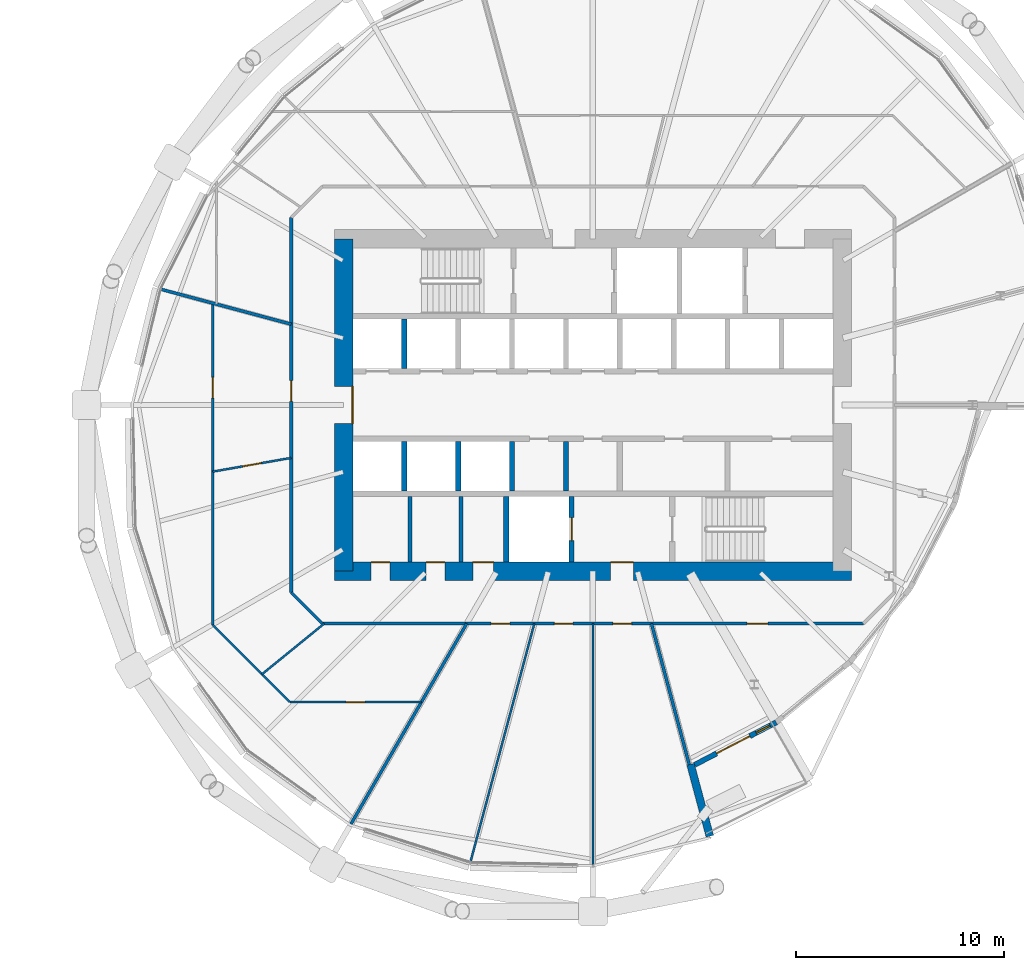
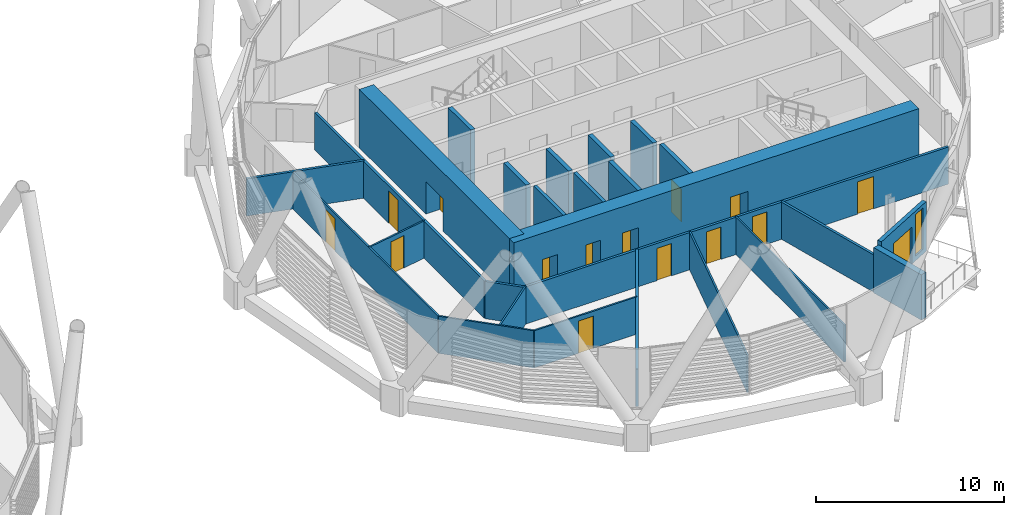
# One storey, part 23 of 36: 26 walls, 15 doors, 1 window, 16 openings.
"""IFC4 building model written with IfcOpenShell, lengths in metres."""

from ifc_helpers import new_model, si_unit, direction, frame, frame_2d, origin, place, context, subcontext, project, spatial, rectangle, extrude, material, layer, layer_set, type_object, element, fill, save


model = new_model("IFC4")

# Units and contexts
model_context = context("Model", 3, precision=1e-05, world=origin(), true_north=direction((0.0, 1.0)))
body_context = subcontext(model_context, "Body", "Model", "MODEL_VIEW")
ifc_project = project(units=[si_unit("LENGTHUNIT", "METRE"), si_unit("AREAUNIT", "SQUARE_METRE"), si_unit("VOLUMEUNIT", "CUBIC_METRE"), si_unit("PLANEANGLEUNIT", "RADIAN"), si_unit("MASSUNIT", "GRAM", prefix="KILO")], contexts=[model_context])

# Site, building, storey
site_placement = place(None, origin())
site = spatial("IfcSite", under=ifc_project, at=site_placement, CompositionType="ELEMENT")
building_placement = place(site_placement, origin())
building = spatial("IfcBuilding", under=site, at=building_placement, Name="Rimbun Link Towers", CompositionType="ELEMENT")
storey_placement = place(building_placement, frame((0.0, 0.0, 64.199951171875)))
storey = spatial("IfcBuildingStorey", under=building, at=storey_placement, Name="L15", CompositionType="ELEMENT", Elevation=64.199951171875)

# Wall, openings, door, window
ifc_material_1 = material(Name="Dark enamelled glass spandrel on insulated aluminium backpan", Category="aluminium")
ifc_layer_1 = layer(ifc_material_1, 0.25)
ifc_layer_set_1 = layer_set([ifc_layer_1], Name="CS dark enamelled spandrel wall 250")
wall_type_1 = type_object("IfcWallType", Name="CS dark enamelled spandrel wall 250", PredefinedType="STANDARD", material=ifc_layer_set_1)
wall_1_placement = place(storey_placement, frame((40.57958984375, -15.278564453125, 0.0), z_axis=(0.0, 0.0, 1.0), x_axis=(-0.886942309025, -0.461880223069, 0.0)))
wall_1 = element("IfcWall", 1, at=wall_1_placement, inside=storey, type_object=wall_type_1, Name="Crease spandrel wall", PredefinedType="STANDARD", context=body_context, shape_type="SweptSolid", body=[
    extrude(rectangle(XDim=4.429443359375, YDim=0.25, at=frame_2d((2.21484375, 0.0))), origin(), (0.0, 0.0, 1.0), 3.2236328125),
])
opening_1_placement = place(wall_1_placement, frame((0.3427734375, 0.0, 0.300048828125)))
opening_1 = element("IfcOpeningElement", 2, at=opening_1_placement, cuts=wall_1, Name="Opening WR08H270", PredefinedType="OPENING", context=body_context, shape_type="SweptSolid", body=[
    extrude(rectangle(XDim=0.75, YDim=2.699951171875, at=frame_2d((0.375, 1.35009765625))), frame((0.0, 0.135009765625, 0.0), z_axis=(0.0, -1.0, 0.0), x_axis=(1.0, 0.0, 0.0)), (0.0, 0.0, 1.0), 0.27001953125),
])
opening_2_placement = place(wall_1_placement, frame((1.435546875, 0.0, 0.0)))
opening_2 = element("IfcOpeningElement", 3, at=opening_2_placement, cuts=wall_1, Name="Opening ED58", PredefinedType="OPENING", context=body_context, shape_type="SweptSolid", body=[
    extrude(rectangle(XDim=1.800048828125, YDim=2.39990234375, at=frame_2d((0.89990234375, 1.199951171875))), frame((0.0, 0.135009765625, 0.0), z_axis=(0.0, -1.0, 0.0), x_axis=(1.0, 0.0, 0.0)), (0.0, 0.0, 1.0), 0.27001953125),
])
ifc_material_2 = material(Name="Aluminium framed glazed door, low-iron glass", Category="aluminium")
door_type_1 = type_object("IfcDoorType", Name="ED terrace door double leaf 1800X2400", OperationType="DOUBLE_DOOR_SINGLE_SWING", PredefinedType="DOOR", material=ifc_material_2)
door_1_placement = place(opening_2_placement, origin())
door_1 = element("IfcDoor", 4, at=door_1_placement, inside=storey, type_object=door_type_1, Name="Terrace door", OperationType="SINGLE_SWING_LEFT", OverallHeight=2.39990234375, OverallWidth=1.800048828125, PredefinedType="DOOR", context=body_context, shape_type="SweptSolid", body=[
    extrude(rectangle(XDim=1.800048828125, YDim=2.39990234375, at=frame_2d((0.89990234375, 1.199951171875))), frame((0.0, 0.02490234375, 0.0), z_axis=(0.0, -1.0, 0.0), x_axis=(1.0, 0.0, 0.0)), (0.0, 0.0, 1.0), 0.050048828125),
])
fill(opening_2, door_1)
ifc_material_3 = material(Name="Aluminium framed fixed window, dark tinted low-e glass", Category="aluminium")
window_type = type_object("IfcWindowType", Name="WR ribbon window 750X2700", PartitioningType="SINGLE_PANEL", PredefinedType="WINDOW", material=ifc_material_3)
window_placement = place(opening_1_placement, origin())
window = element("IfcWindow", 5, at=window_placement, inside=storey, type_object=window_type, Name="Crease ribbon window", OverallHeight=2.699951171875, OverallWidth=0.75, PartitioningType="SINGLE_PANEL", PredefinedType="WINDOW", context=body_context, shape_type="SweptSolid", body=[
    extrude(rectangle(XDim=0.75, YDim=2.699951171875, at=frame_2d((0.375, 1.35009765625))), frame((0.0, 0.030029296875, 0.0), z_axis=(0.0, -1.0, 0.0), x_axis=(1.0, 0.0, 0.0)), (0.0, 0.0, 1.0), 0.06005859375),
])
fill(opening_1, window)

# Walls
ifc_material_4 = material(Name="Dark enamelled glass spandrel on insulated aluminium backpan", Category="aluminium")
ifc_layer_2 = layer(ifc_material_4, 0.3701171875)
ifc_layer_set_2 = layer_set([ifc_layer_2], Name="CS dark enamelled spandrel wall 370")
wall_type_2 = type_object("IfcWallType", Name="CS dark enamelled spandrel wall 370", PredefinedType="STANDARD", material=ifc_layer_set_2)
wall_2_placement = place(storey_placement, frame((36.453369140625, -17.30224609375, 0.0), z_axis=(0.0, 0.0, 1.0), x_axis=(0.258867887085, -0.965912737796, 0.0)))
element("IfcWall", 6, at=wall_2_placement, inside=storey, type_object=wall_type_2, Name="Crease spandrel wall", PredefinedType="STANDARD", context=body_context, shape_type="SweptSolid", body=[
    extrude(rectangle(XDim=3.580078125, YDim=0.3701171875, at=frame_2d((1.7900390625, 0.0))), origin(), (0.0, 0.0, 1.0), 2.946533203125),
])
ifc_material_5 = material(Name="Masonry blockwork", Category="masonry")
ifc_layer_3 = layer(ifc_material_5, 0.199951171875)
ifc_layer_set_3 = layer_set([ifc_layer_3], Name="Core partition 200")
wall_type_3 = type_object("IfcWallType", Name="Core partition 200", PredefinedType="PARTITIONING", material=ifc_layer_set_3)
for number, where, z_axis, x_axis, name in (
    (7, (22.949951171875, -4.39990234375, 0.0), (0.0, 0.0, 1.0), (0.0, -1.0, 0.0), "L15 T2 core wall C1"),
    (8, (25.39990234375, -4.39990234375, 0.0), (0.0, 0.0, 1.0), (0.0, -1.0, 0.0), "L15 T2 core wall C2"),
):
    element("IfcWall", number, at=place(storey_placement, frame(where, z_axis=z_axis, x_axis=x_axis)), inside=storey, type_object=wall_type_3, Name=name, PredefinedType="PARTITIONING", context=body_context, shape_type="SweptSolid", body=[
        extrude(rectangle(XDim=3.150146484375, YDim=0.199951171875, at=frame_2d((1.5751953125, 0.0))), origin(), (0.0, 0.0, 1.0), 3.800048828125),
    ])

# Wall, openings, doors
ifc_material_6 = material(Name="Concrete C60/75", Category="concrete")
ifc_layer_4 = layer(ifc_material_6, 0.89990234375)
ifc_layer_set_4 = layer_set([ifc_layer_4], Name="Core shear wall 900")
wall_type_4 = type_object("IfcWallType", Name="Core shear wall 900", PredefinedType="SHEAR", material=ifc_layer_set_4)
wall_3_placement = place(storey_placement, frame((19.300048828125, -8.0, 0.0), z_axis=(0.0, 0.0, 1.0), x_axis=(1.0, 0.0, 0.0)))
wall_3 = element("IfcWall", 9, at=wall_3_placement, inside=storey, type_object=wall_type_4, Name="L15 T2 core wall S", PredefinedType="SHEAR", context=body_context, shape_type="SweptSolid", body=[
    extrude(rectangle(XDim=24.89990234375, YDim=0.89990234375, at=frame_2d((12.449951171875, 0.0))), origin(), (0.0, 0.0, 1.0), 3.800048828125),
])
opening_3_placement = place(wall_3_placement, frame((13.300048828125, 0.0, 0.0)))
opening_3 = element("IfcOpeningElement", 10, at=opening_3_placement, cuts=wall_3, Name="Opening C2DCF01S", PredefinedType="OPENING", context=body_context, shape_type="SweptSolid", body=[
    extrude(rectangle(XDim=1.10009765625, YDim=2.10009765625, at=frame_2d((0.550048828125, 1.050048828125))), frame((0.0, 0.4599609375, 0.0), z_axis=(0.0, -1.0, 0.0), x_axis=(1.0, 0.0, 0.0)), (0.0, 0.0, 1.0), 0.919921875),
])
opening_4_placement = place(wall_3_placement, frame((1.77490234375, 0.0, 0.0)))
opening_4 = element("IfcOpeningElement", 11, at=opening_4_placement, cuts=wall_3, Name="Opening C2DWC02S", PredefinedType="OPENING", context=body_context, shape_type="SweptSolid", body=[
    extrude(rectangle(XDim=0.89990234375, YDim=2.10009765625, at=frame_2d((0.449951171875, 1.050048828125))), frame((0.0, 0.4599609375, 0.0), z_axis=(0.0, -1.0, 0.0), x_axis=(1.0, 0.0, 0.0)), (0.0, 0.0, 1.0), 0.919921875),
])
opening_5_placement = place(wall_3_placement, frame((4.425048828125, 0.0, 0.0)))
opening_5 = element("IfcOpeningElement", 12, at=opening_5_placement, cuts=wall_3, Name="Opening C2DWC03S", PredefinedType="OPENING", context=body_context, shape_type="SweptSolid", body=[
    extrude(rectangle(XDim=0.89990234375, YDim=2.10009765625, at=frame_2d((0.449951171875, 1.050048828125))), frame((0.0, 0.4599609375, 0.0), z_axis=(0.0, -1.0, 0.0), x_axis=(1.0, 0.0, 0.0)), (0.0, 0.0, 1.0), 0.919921875),
])
opening_6_placement = place(wall_3_placement, frame((6.675048828125, 0.0, 0.0)))
opening_6 = element("IfcOpeningElement", 13, at=opening_6_placement, cuts=wall_3, Name="Opening C2DAW04S", PredefinedType="OPENING", context=body_context, shape_type="SweptSolid", body=[
    extrude(rectangle(XDim=1.0, YDim=2.10009765625, at=frame_2d((0.5, 1.050048828125))), frame((0.0, 0.4599609375, 0.0), z_axis=(0.0, -1.0, 0.0), x_axis=(1.0, 0.0, 0.0)), (0.0, 0.0, 1.0), 0.919921875),
])
ifc_material_7 = material(Name="Timber", Category="wood")
door_type_2 = type_object("IfcDoorType", Name="Accessible WC door", OperationType="SINGLE_SWING_LEFT", PredefinedType="DOOR", material=ifc_material_7)
door_2_placement = place(opening_6_placement, origin())
door_2 = element("IfcDoor", 14, at=door_2_placement, inside=storey, type_object=door_type_2, Name="L15 T2 accessible wc door", OperationType="SINGLE_SWING_RIGHT", OverallHeight=2.10009765625, OverallWidth=1.0, PredefinedType="DOOR", context=body_context, shape_type="SweptSolid", body=[
    extrude(rectangle(XDim=1.0, YDim=2.10009765625, at=frame_2d((0.5, 1.050048828125))), frame((0.0, 0.4501953125, 0.0), z_axis=(0.0, -1.0, 0.0), x_axis=(1.0, 0.0, 0.0)), (0.0, 0.0, 1.0), 0.050048828125),
])
fill(opening_6, door_2)
ifc_material_8 = material(Name="Steel fire door set", Category="steel")
door_type_3 = type_object("IfcDoorType", Name="Core fire door single", OperationType="SINGLE_SWING_LEFT", PredefinedType="DOOR", material=ifc_material_8)
door_3_placement = place(opening_3_placement, origin())
door_3 = element("IfcDoor", 15, at=door_3_placement, inside=storey, type_object=door_type_3, Name="L15 T2 firefighting lobby s door", OperationType="SINGLE_SWING_RIGHT", OverallHeight=2.10009765625, OverallWidth=1.10009765625, PredefinedType="DOOR", context=body_context, shape_type="SweptSolid", body=[
    extrude(rectangle(XDim=1.10009765625, YDim=2.10009765625, at=frame_2d((0.550048828125, 1.050048828125))), frame((0.0, 0.4501953125, 0.0), z_axis=(0.0, -1.0, 0.0), x_axis=(1.0, 0.0, 0.0)), (0.0, 0.0, 1.0), 0.050048828125),
])
fill(opening_3, door_3)
ifc_material_9 = material(Name="Timber", Category="wood")
door_type_4 = type_object("IfcDoorType", Name="WC door", OperationType="SINGLE_SWING_LEFT", PredefinedType="DOOR", material=ifc_material_9)
door_4_placement = place(opening_4_placement, origin())
door_4 = element("IfcDoor", 16, at=door_4_placement, inside=storey, type_object=door_type_4, Name="L15 T2 male wc door", OperationType="SINGLE_SWING_LEFT", OverallHeight=2.10009765625, OverallWidth=0.89990234375, PredefinedType="DOOR", context=body_context, shape_type="SweptSolid", body=[
    extrude(rectangle(XDim=0.89990234375, YDim=2.10009765625, at=frame_2d((0.449951171875, 1.050048828125))), frame((0.0, 0.4501953125, 0.0), z_axis=(0.0, -1.0, 0.0), x_axis=(1.0, 0.0, 0.0)), (0.0, 0.0, 1.0), 0.050048828125),
])
fill(opening_4, door_4)
door_5_placement = place(opening_5_placement, origin())
door_5 = element("IfcDoor", 17, at=door_5_placement, inside=storey, type_object=door_type_4, Name="L15 T2 female wc door", OperationType="SINGLE_SWING_RIGHT", OverallHeight=2.10009765625, OverallWidth=0.89990234375, PredefinedType="DOOR", context=body_context, shape_type="SweptSolid", body=[
    extrude(rectangle(XDim=0.89990234375, YDim=2.10009765625, at=frame_2d((0.449951171875, 1.050048828125))), frame((0.0, 0.4501953125, 0.0), z_axis=(0.0, -1.0, 0.0), x_axis=(1.0, 0.0, 0.0)), (0.0, 0.0, 1.0), 0.050048828125),
])
fill(opening_5, door_5)

# Wall, opening, door
wall_4_placement = place(storey_placement, frame((19.75, -8.0, 0.0), z_axis=(0.0, 0.0, 1.0), x_axis=(0.0, 1.0, 0.0)))
wall_4 = element("IfcWall", 18, at=wall_4_placement, inside=storey, type_object=wall_type_4, Name="L15 T2 core wall W", PredefinedType="SHEAR", context=body_context, shape_type="SweptSolid", body=[
    extrude(rectangle(XDim=16.0, YDim=0.89990234375, at=frame_2d((8.0, 0.0))), origin(), (0.0, 0.0, 1.0), 3.800048828125),
])
opening_7_placement = place(wall_4_placement, frame((7.10009765625, 0.0, 0.0)))
opening_7 = element("IfcOpeningElement", 19, at=opening_7_placement, cuts=wall_4, Name="Opening C2DCL01W", PredefinedType="OPENING", context=body_context, shape_type="SweptSolid", body=[
    extrude(rectangle(XDim=1.800048828125, YDim=2.10009765625, at=frame_2d((0.89990234375, 1.050048828125))), frame((0.0, 0.4599609375, 0.0), z_axis=(0.0, -1.0, 0.0), x_axis=(1.0, 0.0, 0.0)), (0.0, 0.0, 1.0), 0.919921875),
])
ifc_material_10 = material(Name="Steel fire door set", Category="steel")
door_type_5 = type_object("IfcDoorType", Name="Core lobby door double", OperationType="DOUBLE_DOOR_SINGLE_SWING", PredefinedType="DOOR", material=ifc_material_10)
door_6_placement = place(opening_7_placement, origin())
door_6 = element("IfcDoor", 20, at=door_6_placement, inside=storey, type_object=door_type_5, Name="L15 T2 lift lobby door", OperationType="DOUBLE_DOOR_SINGLE_SWING", OverallHeight=2.10009765625, OverallWidth=1.800048828125, PredefinedType="DOOR", context=body_context, shape_type="SweptSolid", body=[
    extrude(rectangle(XDim=1.800048828125, YDim=2.10009765625, at=frame_2d((0.89990234375, 1.050048828125))), frame((0.0, -0.39990234375, 0.0), z_axis=(0.0, -1.0, 0.0), x_axis=(1.0, 0.0, 0.0)), (0.0, 0.0, 1.0), 0.050048828125),
])
fill(opening_7, door_6)

# Wall, openings, doors
ifc_material_11 = material(Name="Plasterboard on steel stud, mineral wool", Category="steel")
ifc_layer_5 = layer(ifc_material_11, 0.14990234375)
ifc_layer_set_5 = layer_set([ifc_layer_5], Name="Corridor wall EI 30 150 mm")
wall_type_5 = type_object("IfcWallType", Name="Corridor wall EI 30 150 mm", PredefinedType="PARTITIONING", material=ifc_layer_set_5)
wall_5_placement = place(storey_placement, frame((44.776611328125, -10.52490234375, 0.0), z_axis=(0.0, 0.0, 1.0), x_axis=(-1.0, 0.0, 0.0)))
wall_5 = element("IfcWall", 21, at=wall_5_placement, inside=storey, type_object=wall_type_5, Name="Corridor wall EI 30 150 mm", PredefinedType="PARTITIONING", context=body_context, shape_type="SweptSolid", body=[
    extrude(rectangle(XDim=26.05322265625, YDim=0.14990234375, at=frame_2d((13.026611328125, 0.0))), origin(), (0.0, 0.0, 1.0), 2.420166015625),
])
opening_8_placement = place(wall_5_placement, frame((17.025146484375, 0.0, 0.0)))
opening_8 = element("IfcOpeningElement", 22, at=opening_8_placement, cuts=wall_5, Name="Opening D02", PredefinedType="OPENING", context=body_context, shape_type="SweptSolid", body=[
    extrude(rectangle(XDim=0.89990234375, YDim=2.10009765625, at=frame_2d((0.449951171875, 1.050048828125))), frame((0.0, 0.0849609375, 0.0), z_axis=(0.0, -1.0, 0.0), x_axis=(1.0, 0.0, 0.0)), (0.0, 0.0, 1.0), 0.169921875),
])
opening_9_placement = place(wall_5_placement, frame((13.98681640625, 0.0, 0.0)))
opening_9 = element("IfcOpeningElement", 23, at=opening_9_placement, cuts=wall_5, Name="Opening D02", PredefinedType="OPENING", context=body_context, shape_type="SweptSolid", body=[
    extrude(rectangle(XDim=0.89990234375, YDim=2.10009765625, at=frame_2d((0.449951171875, 1.050048828125))), frame((0.0, 0.0849609375, 0.0), z_axis=(0.0, -1.0, 0.0), x_axis=(1.0, 0.0, 0.0)), (0.0, 0.0, 1.0), 0.169921875),
])
opening_10_placement = place(wall_5_placement, frame((11.16650390625, 0.0, 0.0)))
opening_10 = element("IfcOpeningElement", 24, at=opening_10_placement, cuts=wall_5, Name="Opening D02", PredefinedType="OPENING", context=body_context, shape_type="SweptSolid", body=[
    extrude(rectangle(XDim=0.89990234375, YDim=2.10009765625, at=frame_2d((0.449951171875, 1.050048828125))), frame((0.0, 0.0849609375, 0.0), z_axis=(0.0, -1.0, 0.0), x_axis=(1.0, 0.0, 0.0)), (0.0, 0.0, 1.0), 0.169921875),
])
opening_11_placement = place(wall_5_placement, frame((4.603271484375, 0.0, 0.0)))
opening_11 = element("IfcOpeningElement", 25, at=opening_11_placement, cuts=wall_5, Name="Opening D01", PredefinedType="OPENING", context=body_context, shape_type="SweptSolid", body=[
    extrude(rectangle(XDim=1.0, YDim=2.10009765625, at=frame_2d((0.5, 1.050048828125))), frame((0.0, 0.0849609375, 0.0), z_axis=(0.0, -1.0, 0.0), x_axis=(1.0, 0.0, 0.0)), (0.0, 0.0, 1.0), 0.169921875),
])
ifc_material_12 = material(Name="Fire-resisting timber door leaf", Category="wood")
door_type_6 = type_object("IfcDoorType", Name="Fire door FD30S 1000", OperationType="NOTDEFINED", PredefinedType="DOOR", material=ifc_material_12)
door_7_placement = place(opening_11_placement, origin())
door_7 = element("IfcDoor", 26, at=door_7_placement, inside=storey, type_object=door_type_6, Name="Fire door FD30S 1000 to Terrace office", OperationType="SINGLE_SWING_LEFT", OverallHeight=2.10009765625, OverallWidth=1.0, PredefinedType="DOOR", context=body_context, shape_type="SweptSolid", body=[
    extrude(rectangle(XDim=1.0, YDim=2.10009765625, at=frame_2d((0.5, 1.050048828125))), frame((0.0, 0.02490234375, 0.0), z_axis=(0.0, -1.0, 0.0), x_axis=(1.0, 0.0, 0.0)), (0.0, 0.0, 1.0), 0.050048828125),
])
fill(opening_11, door_7)
ifc_material_13 = material(Name="Fire-resisting timber door leaf", Category="wood")
door_type_7 = type_object("IfcDoorType", Name="Fire door FD30S 900", OperationType="NOTDEFINED", PredefinedType="DOOR", material=ifc_material_13)
door_8_placement = place(opening_8_placement, origin())
door_8 = element("IfcDoor", 27, at=door_8_placement, inside=storey, type_object=door_type_7, Name="Fire door FD30S 900 to Cellular office", OperationType="SINGLE_SWING_RIGHT", OverallHeight=2.10009765625, OverallWidth=0.89990234375, PredefinedType="DOOR", context=body_context, shape_type="SweptSolid", body=[
    extrude(rectangle(XDim=0.89990234375, YDim=2.10009765625, at=frame_2d((0.449951171875, 1.050048828125))), frame((0.0, 0.02490234375, 0.0), z_axis=(0.0, -1.0, 0.0), x_axis=(1.0, 0.0, 0.0)), (0.0, 0.0, 1.0), 0.050048828125),
])
fill(opening_8, door_8)
door_9_placement = place(opening_9_placement, origin())
door_9 = element("IfcDoor", 28, at=door_9_placement, inside=storey, type_object=door_type_7, Name="Fire door FD30S 900 to Cellular office", OperationType="SINGLE_SWING_LEFT", OverallHeight=2.10009765625, OverallWidth=0.89990234375, PredefinedType="DOOR", context=body_context, shape_type="SweptSolid", body=[
    extrude(rectangle(XDim=0.89990234375, YDim=2.10009765625, at=frame_2d((0.449951171875, 1.050048828125))), frame((0.0, 0.02490234375, 0.0), z_axis=(0.0, -1.0, 0.0), x_axis=(1.0, 0.0, 0.0)), (0.0, 0.0, 1.0), 0.050048828125),
])
fill(opening_9, door_9)
door_10_placement = place(opening_10_placement, origin())
door_10 = element("IfcDoor", 29, at=door_10_placement, inside=storey, type_object=door_type_7, Name="Fire door FD30S 900 to Meeting room", OperationType="SINGLE_SWING_RIGHT", OverallHeight=2.10009765625, OverallWidth=0.89990234375, PredefinedType="DOOR", context=body_context, shape_type="SweptSolid", body=[
    extrude(rectangle(XDim=0.89990234375, YDim=2.10009765625, at=frame_2d((0.449951171875, 1.050048828125))), frame((0.0, 0.02490234375, 0.0), z_axis=(0.0, -1.0, 0.0), x_axis=(1.0, 0.0, 0.0)), (0.0, 0.0, 1.0), 0.050048828125),
])
fill(opening_10, door_10)

# Wall
wall_6_placement = place(storey_placement, frame((17.22509765625, -9.026611328125, 0.0), z_axis=(0.0, 0.0, 1.0), x_axis=(0.707106781187, -0.707106781187, 0.0)))
element("IfcWall", 30, at=wall_6_placement, inside=storey, type_object=wall_type_5, Name="Corridor wall EI 30 150 mm", PredefinedType="PARTITIONING", context=body_context, shape_type="SweptSolid", body=[
    extrude(rectangle(XDim=2.118896484375, YDim=0.14990234375, at=frame_2d((1.0595703125, 0.0))), origin(), (0.0, 0.0, 1.0), 2.420166015625),
])

# Wall, opening, door
wall_7_placement = place(storey_placement, frame((17.22509765625, -9.026611328125, 0.0), z_axis=(0.0, 0.0, 1.0), x_axis=(0.0, 1.0, 0.0)))
wall_7 = element("IfcWall", 31, at=wall_7_placement, inside=storey, type_object=wall_type_5, Name="Corridor wall EI 30 150 mm", PredefinedType="PARTITIONING", context=body_context, shape_type="SweptSolid", body=[
    extrude(rectangle(XDim=18.05322265625, YDim=0.14990234375, at=frame_2d((9.026611328125, 0.0))), origin(), (0.0, 0.0, 1.0), 2.420166015625),
])
opening_12_placement = place(wall_7_placement, frame((9.200439453125, 0.0, 0.0)))
opening_12 = element("IfcOpeningElement", 32, at=opening_12_placement, cuts=wall_7, Name="Opening D01", PredefinedType="OPENING", context=body_context, shape_type="SweptSolid", body=[
    extrude(rectangle(XDim=1.0, YDim=2.10009765625, at=frame_2d((0.5, 1.050048828125))), frame((0.0, 0.0849609375, 0.0), z_axis=(0.0, -1.0, 0.0), x_axis=(1.0, 0.0, 0.0)), (0.0, 0.0, 1.0), 0.169921875),
])
door_11_placement = place(opening_12_placement, origin())
door_11 = element("IfcDoor", 33, at=door_11_placement, inside=storey, type_object=door_type_6, Name="Fire door FD30S 1000 to Customer lobby", OperationType="SINGLE_SWING_LEFT", OverallHeight=2.10009765625, OverallWidth=1.0, PredefinedType="DOOR", context=body_context, shape_type="SweptSolid", body=[
    extrude(rectangle(XDim=1.0, YDim=2.10009765625, at=frame_2d((0.5, 1.050048828125))), frame((0.0, 0.02490234375, 0.0), z_axis=(0.0, -1.0, 0.0), x_axis=(1.0, 0.0, 0.0)), (0.0, 0.0, 1.0), 0.050048828125),
])
fill(opening_12, door_11)

ifc_material_14 = material(Name="Plasterboard on steel stud", Category="steel")
ifc_layer_6 = layer(ifc_material_14, 0.10009765625)
ifc_layer_set_6 = layer_set([ifc_layer_6], Name="Plasterboard partition 100 mm")
wall_type_6 = type_object("IfcWallType", Name="Plasterboard partition 100 mm", PredefinedType="PARTITIONING", material=ifc_layer_set_6)
wall_8_placement = place(storey_placement, frame((17.22509765625, -2.544677734375, 0.0), z_axis=(0.0, 0.0, 1.0), x_axis=(-0.985003719376, -0.172533106436, 0.0)))
wall_8 = element("IfcWall", 34, at=wall_8_placement, inside=storey, type_object=wall_type_6, Name="Plasterboard partition 100 mm", PredefinedType="PARTITIONING", context=body_context, shape_type="SweptSolid", body=[
    extrude(rectangle(XDim=3.837646484375, YDim=0.10009765625, at=frame_2d((1.9189453125, 0.0))), origin(), (0.0, 0.0, 1.0), 2.420166015625),
])
opening_13_placement = place(wall_8_placement, frame((1.46875, 0.0, 0.0)))
opening_13 = element("IfcOpeningElement", 35, at=opening_13_placement, cuts=wall_8, Name="Opening D04", PredefinedType="OPENING", context=body_context, shape_type="SweptSolid", body=[
    extrude(rectangle(XDim=0.89990234375, YDim=2.10009765625, at=frame_2d((0.449951171875, 1.050048828125))), frame((0.0, 0.06005859375, 0.0), z_axis=(0.0, -1.0, 0.0), x_axis=(1.0, 0.0, 0.0)), (0.0, 0.0, 1.0), 0.1201171875),
])
ifc_material_15 = material(Name="Timber door leaf", Category="wood")
door_type_8 = type_object("IfcDoorType", Name="Flush door 900", OperationType="NOTDEFINED", PredefinedType="DOOR", material=ifc_material_15)
door_12_placement = place(opening_13_placement, origin())
door_12 = element("IfcDoor", 36, at=door_12_placement, inside=storey, type_object=door_type_8, Name="Flush door 900 to Interview room", OperationType="SINGLE_SWING_RIGHT", OverallHeight=2.10009765625, OverallWidth=0.89990234375, PredefinedType="DOOR", context=body_context, shape_type="SweptSolid", body=[
    extrude(rectangle(XDim=0.89990234375, YDim=2.10009765625, at=frame_2d((0.449951171875, 1.050048828125))), frame((0.0, 0.02490234375, 0.0), z_axis=(0.0, -1.0, 0.0), x_axis=(1.0, 0.0, 0.0)), (0.0, 0.0, 1.0), 0.050048828125),
])
fill(opening_13, door_12)

wall_9_placement = place(storey_placement, frame((13.445068359375, -10.59228515625, 0.0), z_axis=(0.0, 0.0, 1.0), x_axis=(0.0, 1.0, 0.0)))
wall_9 = element("IfcWall", 37, at=wall_9_placement, inside=storey, type_object=wall_type_6, Name="Plasterboard partition 100 mm", PredefinedType="PARTITIONING", context=body_context, shape_type="SweptSolid", body=[
    extrude(rectangle(XDim=15.4970703125, YDim=0.10009765625, at=frame_2d((7.74853515625, 0.0))), origin(), (0.0, 0.0, 1.0), 2.420166015625),
])
opening_14_placement = place(wall_9_placement, frame((10.926513671875, 0.0, 0.0)))
opening_14 = element("IfcOpeningElement", 38, at=opening_14_placement, cuts=wall_9, Name="Opening D03", PredefinedType="OPENING", context=body_context, shape_type="SweptSolid", body=[
    extrude(rectangle(XDim=1.0, YDim=2.10009765625, at=frame_2d((0.5, 1.050048828125))), frame((0.0, 0.06005859375, 0.0), z_axis=(0.0, -1.0, 0.0), x_axis=(1.0, 0.0, 0.0)), (0.0, 0.0, 1.0), 0.1201171875),
])
ifc_material_16 = material(Name="Timber door leaf", Category="wood")
door_type_9 = type_object("IfcDoorType", Name="Flush door 1000", OperationType="NOTDEFINED", PredefinedType="DOOR", material=ifc_material_16)
door_13_placement = place(opening_14_placement, origin())
door_13 = element("IfcDoor", 39, at=door_13_placement, inside=storey, type_object=door_type_9, Name="Flush door 1000 to Banking hall", OperationType="SINGLE_SWING_LEFT", OverallHeight=2.10009765625, OverallWidth=1.0, PredefinedType="DOOR", context=body_context, shape_type="SweptSolid", body=[
    extrude(rectangle(XDim=1.0, YDim=2.10009765625, at=frame_2d((0.5, 1.050048828125))), frame((0.0, 0.02490234375, 0.0), z_axis=(0.0, -1.0, 0.0), x_axis=(1.0, 0.0, 0.0)), (0.0, 0.0, 1.0), 0.050048828125),
])
fill(opening_14, door_13)

# Walls
wall_10_placement = place(storey_placement, frame((15.8154296875, -12.962890625, 0.0), z_axis=(0.0, 0.0, 1.0), x_axis=(0.775725311714, 0.631070709799, 0.0)))
element("IfcWall", 40, at=wall_10_placement, inside=storey, type_object=wall_type_6, Name="Plasterboard partition 100 mm", PredefinedType="PARTITIONING", context=body_context, shape_type="SweptSolid", body=[
    extrude(rectangle(XDim=3.86328125, YDim=0.10009765625, at=frame_2d((1.931640625, 0.0))), origin(), (0.0, 0.0, 1.0), 2.420166015625),
])
wall_11_placement = place(storey_placement, frame((13.445068359375, -10.59228515625, 0.0), z_axis=(0.0, 0.0, 1.0), x_axis=(0.707106781187, -0.707106781187, 0.0)))
element("IfcWall", 41, at=wall_11_placement, inside=storey, type_object=wall_type_6, Name="Plasterboard partition 100 mm", PredefinedType="PARTITIONING", context=body_context, shape_type="SweptSolid", body=[
    extrude(rectangle(XDim=5.25048828125, YDim=0.10009765625, at=frame_2d((2.625244140625, 0.0))), origin(), (0.0, 0.0, 1.0), 2.420166015625),
])

# Wall, opening, door
wall_12_placement = place(storey_placement, frame((17.15771484375, -14.304931640625, 0.0), z_axis=(0.0, 0.0, 1.0), x_axis=(1.0, 0.0, 0.0)))
wall_12 = element("IfcWall", 42, at=wall_12_placement, inside=storey, type_object=wall_type_6, Name="Plasterboard partition 100 mm", PredefinedType="PARTITIONING", context=body_context, shape_type="SweptSolid", body=[
    extrude(rectangle(XDim=6.333251953125, YDim=0.10009765625, at=frame_2d((3.16650390625, 0.0))), origin(), (0.0, 0.0, 1.0), 2.420166015625),
])
opening_15_placement = place(wall_12_placement, frame((2.716796875, 0.0, 0.0)))
opening_15 = element("IfcOpeningElement", 43, at=opening_15_placement, cuts=wall_12, Name="Opening D04", PredefinedType="OPENING", context=body_context, shape_type="SweptSolid", body=[
    extrude(rectangle(XDim=0.89990234375, YDim=2.10009765625, at=frame_2d((0.449951171875, 1.050048828125))), frame((0.0, 0.06005859375, 0.0), z_axis=(0.0, -1.0, 0.0), x_axis=(1.0, 0.0, 0.0)), (0.0, 0.0, 1.0), 0.1201171875),
])
door_14_placement = place(opening_15_placement, origin())
door_14 = element("IfcDoor", 44, at=door_14_placement, inside=storey, type_object=door_type_8, Name="Flush door 900 to Strong room", OperationType="SINGLE_SWING_LEFT", OverallHeight=2.10009765625, OverallWidth=0.89990234375, PredefinedType="DOOR", context=body_context, shape_type="SweptSolid", body=[
    extrude(rectangle(XDim=0.89990234375, YDim=2.10009765625, at=frame_2d((0.449951171875, 1.050048828125))), frame((0.0, 0.02490234375, 0.0), z_axis=(0.0, -1.0, 0.0), x_axis=(1.0, 0.0, 0.0)), (0.0, 0.0, 1.0), 0.050048828125),
])
fill(opening_15, door_14)

# Walls
wall_13_placement = place(storey_placement, frame((25.853759765625, -22.0048828125, 0.0), z_axis=(0.0, 0.0, 1.0), x_axis=(0.258809329338, 0.965928429568, 0.0)))
element("IfcWall", 45, at=wall_13_placement, inside=storey, type_object=wall_type_6, Name="Plasterboard partition 100 mm", PredefinedType="PARTITIONING", context=body_context, shape_type="SweptSolid", body=[
    extrude(rectangle(XDim=11.885009765625, YDim=0.10009765625, at=frame_2d((5.9423828125, 0.0))), origin(), (0.0, 0.0, 1.0), 2.420166015625),
])
wall_14_placement = place(storey_placement, frame((31.75, -22.12890625, 0.0), z_axis=(0.0, 0.0, 1.0), x_axis=(0.0, 1.0, 0.0)))
element("IfcWall", 46, at=wall_14_placement, inside=storey, type_object=wall_type_6, Name="Plasterboard partition 100 mm", PredefinedType="PARTITIONING", context=body_context, shape_type="SweptSolid", body=[
    extrude(rectangle(XDim=11.60400390625, YDim=0.10009765625, at=frame_2d((5.802001953125, 0.0))), origin(), (0.0, 0.0, 1.0), 2.420166015625),
])
ifc_material_17 = material(Name="Concrete C60/75", Category="concrete")
ifc_layer_7 = layer(ifc_material_17, 0.25)
ifc_layer_set_7 = layer_set([ifc_layer_7], Name="Shaft wall 250")
wall_type_7 = type_object("IfcWallType", Name="Shaft wall 250", PredefinedType="SHEAR", material=ifc_layer_set_7)
for number, where, z_axis, x_axis, name in (
    (47, (22.66943359375, 1.75, 0.0), (0.0, 0.0, 1.0), (0.0, 1.0, 0.0), "L15 T2 core wall DN0"),
    (48, (22.66943359375, -4.14990234375, 0.0), (0.0, 0.0, 1.0), (0.0, 1.0, 0.0), "L15 T2 core wall DS0"),
    (49, (25.263916015625, -4.14990234375, 0.0), (0.0, 0.0, 1.0), (0.0, 1.0, 0.0), "L15 T2 core wall DS1"),
    (50, (27.8583984375, -4.14990234375, 0.0), (0.0, 0.0, 1.0), (0.0, 1.0, 0.0), "L15 T2 core wall DS2"),
    (51, (30.452880859375, -4.14990234375, 0.0), (0.0, 0.0, 1.0), (0.0, 1.0, 0.0), "L15 T2 core wall DS3"),
):
    element("IfcWall", number, at=place(storey_placement, frame(where, z_axis=z_axis, x_axis=x_axis)), inside=storey, type_object=wall_type_7, Name=name, PredefinedType="SHEAR", context=body_context, shape_type="SweptSolid", body=[
        extrude(rectangle(XDim=2.39990234375, YDim=0.25, at=frame_2d((1.199951171875, 0.0))), origin(), (0.0, 0.0, 1.0), 3.800048828125),
    ])

# Wall, opening, door
wall_15_placement = place(storey_placement, frame((30.72509765625, -4.39990234375, 0.0), z_axis=(0.0, 0.0, 1.0), x_axis=(0.0, -1.0, 0.0)))
wall_15 = element("IfcWall", 52, at=wall_15_placement, inside=storey, type_object=wall_type_7, Name="L15 T2 core wall B2", PredefinedType="SHEAR", context=body_context, shape_type="SweptSolid", body=[
    extrude(rectangle(XDim=3.150146484375, YDim=0.25, at=frame_2d((1.5751953125, 0.0))), origin(), (0.0, 0.0, 1.0), 3.800048828125),
])
opening_16_placement = place(wall_15_placement, frame((1.02490234375, 0.0, 0.0)))
opening_16 = element("IfcOpeningElement", 53, at=opening_16_placement, cuts=wall_15, Name="Opening LD-T2-FF2", PredefinedType="OPENING", context=body_context, shape_type="SweptSolid", body=[
    extrude(rectangle(XDim=1.10009765625, YDim=2.10009765625, at=frame_2d((0.550048828125, 1.050048828125))), frame((0.0, 0.135009765625, 0.0), z_axis=(0.0, -1.0, 0.0), x_axis=(1.0, 0.0, 0.0)), (0.0, 0.0, 1.0), 0.27001953125),
])
ifc_material_18 = material(Name="Stainless steel grade 316", Category="steel")
door_type_10 = type_object("IfcDoorType", Name="Lift landing door", OperationType="DOUBLE_DOOR_SLIDING", PredefinedType="DOOR", material=ifc_material_18)
door_15_placement = place(opening_16_placement, origin())
door_15 = element("IfcDoor", 54, at=door_15_placement, inside=storey, type_object=door_type_10, Name="L15 T2 lift FF2 landing door", OperationType="DOUBLE_DOOR_SLIDING", OverallHeight=2.10009765625, OverallWidth=1.10009765625, PredefinedType="DOOR", context=body_context, shape_type="SweptSolid", body=[
    extrude(rectangle(XDim=1.10009765625, YDim=2.10009765625, at=frame_2d((0.550048828125, 1.050048828125))), frame((0.0, 0.02490234375, 0.0), z_axis=(0.0, -1.0, 0.0), x_axis=(1.0, 0.0, 0.0)), (0.0, 0.0, 1.0), 0.050048828125),
])
fill(opening_16, door_15)

# Walls
wall_16_placement = place(storey_placement, frame((27.574951171875, -4.39990234375, 0.0), z_axis=(0.0, 0.0, 1.0), x_axis=(0.0, -1.0, 0.0)))
element("IfcWall", 55, at=wall_16_placement, inside=storey, type_object=wall_type_7, Name="L15 T2 core wall B3", PredefinedType="SHEAR", context=body_context, shape_type="SweptSolid", body=[
    extrude(rectangle(XDim=3.150146484375, YDim=0.25, at=frame_2d((1.5751953125, 0.0))), origin(), (0.0, 0.0, 1.0), 3.800048828125),
])
ifc_material_19 = material(Name="Plasterboard on steel stud, mineral wool", Category="steel")
ifc_layer_8 = layer(ifc_material_19, 0.14990234375)
ifc_layer_set_8 = layer_set([ifc_layer_8], Name="Tenancy separation wall EI 60 150 mm")
wall_type_8 = type_object("IfcWallType", Name="Tenancy separation wall EI 60 150 mm", PredefinedType="PARTITIONING", material=ifc_layer_set_8)
wall_17_placement = place(storey_placement, frame((17.22509765625, 3.89208984375, 0.0), z_axis=(0.0, 0.0, 1.0), x_axis=(-0.965926567568, 0.258816278596, 0.0)))
element("IfcWall", 56, at=wall_17_placement, inside=storey, type_object=wall_type_8, Name="Tenancy separation wall EI 60 150 mm", PredefinedType="PARTITIONING", context=body_context, shape_type="SweptSolid", body=[
    extrude(rectangle(XDim=6.49267578125, YDim=0.14990234375, at=frame_2d((3.246337890625, 0.0))), origin(), (0.0, 0.0, 1.0), 2.420166015625),
])
wall_18_placement = place(storey_placement, frame((25.67333984375, -10.52490234375, 0.0), z_axis=(0.0, 0.0, 1.0), x_axis=(-0.499982273581, -0.866035637895, 0.0)))
element("IfcWall", 57, at=wall_18_placement, inside=storey, type_object=wall_type_8, Name="Tenancy separation wall EI 60 150 mm", PredefinedType="PARTITIONING", context=body_context, shape_type="SweptSolid", body=[
    extrude(rectangle(XDim=11.1435546875, YDim=0.14990234375, at=frame_2d((5.57177734375, 0.0))), origin(), (0.0, 0.0, 1.0), 2.420166015625),
])
wall_19_placement = place(storey_placement, frame((34.5703125, -10.52490234375, 0.0), z_axis=(0.0, 0.0, 1.0), x_axis=(0.25879449513, -0.9659324041, 0.0)))
element("IfcWall", 58, at=wall_19_placement, inside=storey, type_object=wall_type_8, Name="Tenancy separation wall EI 60 150 mm", PredefinedType="PARTITIONING", context=body_context, shape_type="SweptSolid", body=[
    extrude(rectangle(XDim=7.033935546875, YDim=0.14990234375, at=frame_2d((3.51708984375, 0.0))), origin(), (0.0, 0.0, 1.0), 2.420166015625),
])

save(model, "model.ifc")
